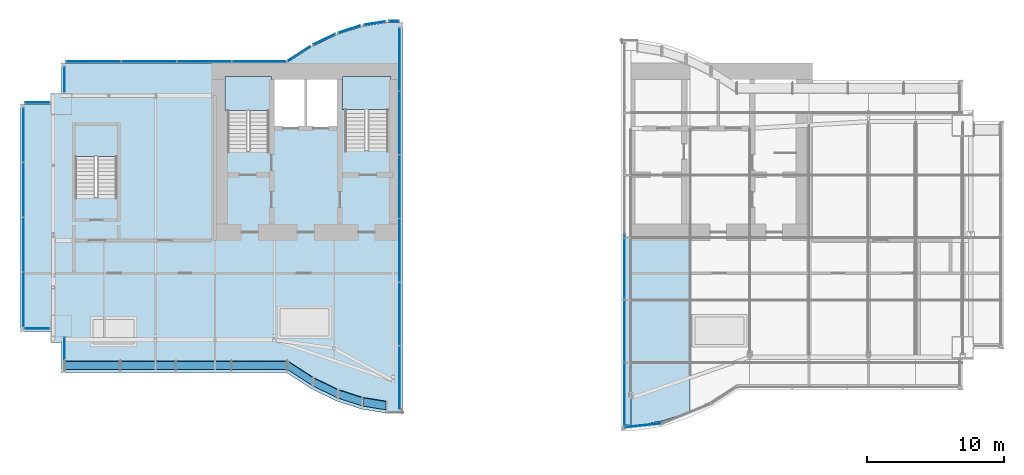
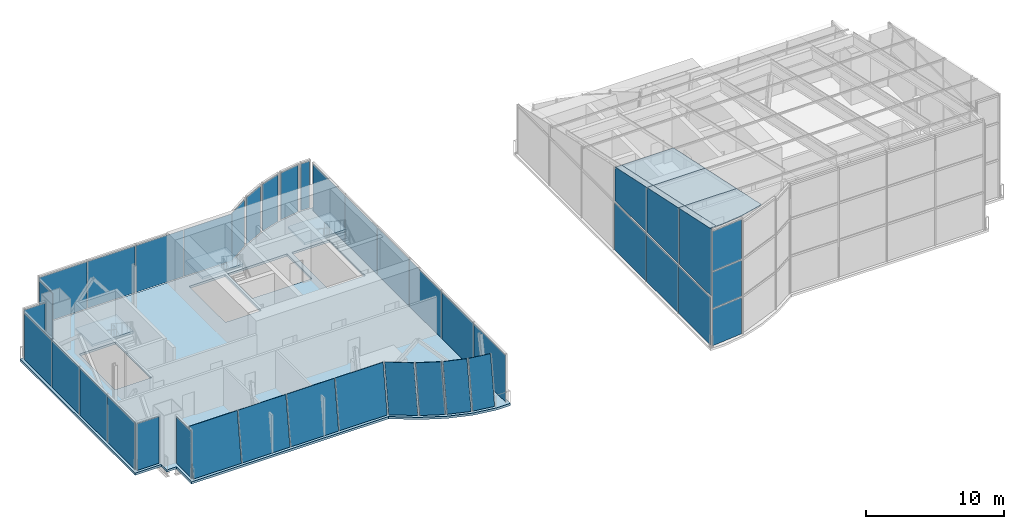
# One storey, part 10 of 17: 46 plates, 4 slabs, 25 elements without a shape of their own.
"""IFC4 building model written with IfcOpenShell, lengths in metres."""

from ifc_helpers import new_model, si_unit, direction, frame, origin, origin_2d, place, context, subcontext, project, spatial, polyline, rectangle, outline, extrude, material, layer, layer_set, type_object, element, aggregate, save


model = new_model("IFC4")

# Units and contexts
model_context = context("Model", 3, precision=1e-05, world=origin(), true_north=direction((0.0, 1.0)))
body_context = subcontext(model_context, "Body", "Model", "MODEL_VIEW")
ifc_project = project(units=[si_unit("LENGTHUNIT", "METRE"), si_unit("AREAUNIT", "SQUARE_METRE"), si_unit("VOLUMEUNIT", "CUBIC_METRE"), si_unit("PLANEANGLEUNIT", "RADIAN"), si_unit("MASSUNIT", "GRAM", prefix="KILO")], contexts=[model_context])

# Site, building, storey
site_placement = place(None, origin())
site = spatial("IfcSite", under=ifc_project, at=site_placement, CompositionType="ELEMENT")
building_placement = place(site_placement, origin())
building = spatial("IfcBuilding", under=site, at=building_placement, Name="Bicima Exchange Tower", CompositionType="ELEMENT")
storey_placement = place(building_placement, frame((0.0, 0.0, 356.89990234375)))
storey = spatial("IfcBuildingStorey", under=building, at=storey_placement, Name="L80", CompositionType="ELEMENT", Elevation=356.89990234375)

# Slab
ifc_material_1 = material(Name="Concrete C40/50", Category="concrete")
ifc_layer_1 = layer(ifc_material_1, 0.199951171875)
ifc_layer_set_1 = layer_set([ifc_layer_1], Name="Concrete C40/50")
slab_type_1 = type_object("IfcSlabType", Name="Composite floor slab 200", PredefinedType="FLOOR", material=ifc_layer_set_1)
slab_1_placement = place(storey_placement, frame((0.0, 0.0, -0.199951171875)))
element("IfcSlab", 1, at=slab_1_placement, inside=storey, type_object=slab_type_1, Name="Floor slab", PredefinedType="FLOOR", context=body_context, shape_type="SweptSolid", body=[
    extrude(outline(polyline([(-33.800048828125, -19.67919921875), (-36.0, -19.67919921875), (-36.0, -3.0), (-33.800048828125, -3.0), (-33.800048828125, -2.199951171875), (-33.0, -2.199951171875), (-33.0, 0.0), (-16.5, 0.0), (-14.666748046875, 1.185302734375), (-12.833251953125, 2.07421875), (-11.0, 2.666748046875), (-9.166748046875, 2.962890625), (-8.0, 2.962890625), (-8.0, -25.64208984375), (-9.166748046875, -25.64208984375), (-11.0, -25.345703125), (-12.833251953125, -24.753173828125), (-14.666748046875, -23.8642578125), (-16.5, -22.67919921875), (-33.0, -22.67919921875), (-33.0, -20.47900390625), (-33.800048828125, -20.47900390625), (-33.800048828125, -19.67919921875)]), holes=[polyline([(-28.925048828125, -4.625), (-31.97509765625, -4.625), (-31.97509765625, -9.824951171875), (-28.925048828125, -9.824951171875), (-28.925048828125, -4.625)]), polyline([(-17.800048828125, -1.199951171875), (-20.800048828125, -1.199951171875), (-20.800048828125, -6.449951171875), (-17.800048828125, -6.449951171875), (-17.800048828125, -1.199951171875)]), polyline([(-9.074951171875, -1.199951171875), (-12.22509765625, -1.199951171875), (-12.22509765625, -6.39990234375), (-9.074951171875, -6.39990234375), (-9.074951171875, -1.199951171875)]), polyline([(-12.60009765625, -1.199951171875), (-15.10009765625, -1.199951171875), (-17.60009765625, -1.199951171875), (-17.60009765625, -4.800048828125), (-15.10009765625, -4.800048828125), (-12.60009765625, -4.800048828125), (-12.60009765625, -1.199951171875)])]), origin(), (0.0, 0.0, 1.0), 0.199951171875),
])

# Curtain wall, plates
ifc_material_2 = material(Name="Anodised bronze aluminium", Category="aluminium")
curtain_wall_type = type_object("IfcCurtainWallType", Name="Crown glass wall", PredefinedType="NOTDEFINED", material=ifc_material_2)
curtain_wall_1_placement = place(storey_placement, origin())
curtain_wall_1 = element("IfcCurtainWall", 2, at=curtain_wall_1_placement, inside=storey, type_object=curtain_wall_type, Name="Crown glass wall L80 run 2", PredefinedType="NOTDEFINED")
ifc_material_3 = material(Name="Bronze tinted glass", Category="glass")
ifc_layer_2 = layer(ifc_material_3, 0.035888671875)
ifc_layer_set_2 = layer_set([ifc_layer_2], Name="Bronze tinted glass")
plate_type_1 = type_object("IfcPlateType", Name="Crown glass wall glass panel 36", PredefinedType="CURTAIN_PANEL", material=ifc_layer_set_2)
plate_1_placement = place(storey_placement, frame((-8.22998046875, -23.04931640625, 0.0), z_axis=(0.0, 0.0, 1.0), x_axis=(0.0, 1.0, 0.0)))
plate_1 = element("IfcPlate", 3, at=plate_1_placement, type_object=plate_type_1, Name="Crown glass wall panel 1.1", PredefinedType="CURTAIN_PANEL", context=body_context, shape_type="SweptSolid", body=[
    extrude(rectangle(XDim=4.60595703125, YDim=0.035888671875, at=origin_2d()), origin(), (0.0, 0.0, 1.0), 4.139892578125),
])
plate_2_placement = place(storey_placement, frame((-8.22998046875, -18.38330078125, 0.0), z_axis=(0.0, 0.0, 1.0), x_axis=(0.0, 1.0, 0.0)))
plate_2 = element("IfcPlate", 4, at=plate_2_placement, type_object=plate_type_1, Name="Crown glass wall panel 2.1", PredefinedType="CURTAIN_PANEL", context=body_context, shape_type="SweptSolid", body=[
    extrude(rectangle(XDim=4.605712890625, YDim=0.035888671875, at=origin_2d()), origin(), (0.0, 0.0, 1.0), 4.139892578125),
])
plate_3_placement = place(storey_placement, frame((-8.22998046875, -13.717529296875, 0.0), z_axis=(0.0, 0.0, 1.0), x_axis=(0.0, 1.0, 0.0)))
plate_3 = element("IfcPlate", 5, at=plate_3_placement, type_object=plate_type_1, Name="Crown glass wall panel 3.1", PredefinedType="CURTAIN_PANEL", context=body_context, shape_type="SweptSolid", body=[
    extrude(rectangle(XDim=4.60595703125, YDim=0.035888671875, at=origin_2d()), origin(), (0.0, 0.0, 1.0), 4.139892578125),
])
plate_4_placement = place(storey_placement, frame((-8.22998046875, -9.051513671875, 0.0), z_axis=(0.0, 0.0, 1.0), x_axis=(0.0, 1.0, 0.0)))
plate_4 = element("IfcPlate", 6, at=plate_4_placement, type_object=plate_type_1, Name="Crown glass wall panel 4.1", PredefinedType="CURTAIN_PANEL", context=body_context, shape_type="SweptSolid", body=[
    extrude(rectangle(XDim=4.60595703125, YDim=0.035888671875, at=origin_2d()), origin(), (0.0, 0.0, 1.0), 4.139892578125),
])
plate_5_placement = place(storey_placement, frame((-8.22998046875, -4.3857421875, 0.0), z_axis=(0.0, 0.0, 1.0), x_axis=(0.0, 1.0, 0.0)))
plate_5 = element("IfcPlate", 7, at=plate_5_placement, type_object=plate_type_1, Name="Crown glass wall panel 5.1", PredefinedType="CURTAIN_PANEL", context=body_context, shape_type="SweptSolid", body=[
    extrude(rectangle(XDim=4.605712890625, YDim=0.035888671875, at=origin_2d()), origin(), (0.0, 0.0, 1.0), 4.139892578125),
])
plate_6_placement = place(storey_placement, frame((-8.22998046875, 0.280029296875, 0.0), z_axis=(0.0, 0.0, 1.0), x_axis=(0.0, 1.0, 0.0)))
plate_6 = element("IfcPlate", 8, at=plate_6_placement, type_object=plate_type_1, Name="Crown glass wall panel 6.1", PredefinedType="CURTAIN_PANEL", context=body_context, shape_type="SweptSolid", body=[
    extrude(rectangle(XDim=4.605712890625, YDim=0.035888671875, at=origin_2d()), origin(), (0.0, 0.0, 1.0), 4.139892578125),
])
aggregate(curtain_wall_1, [plate_1, plate_2, plate_3, plate_4, plate_5, plate_6])

# Curtain wall, plate
curtain_wall_2_placement = place(storey_placement, origin())
curtain_wall_2 = element("IfcCurtainWall", 9, at=curtain_wall_2_placement, inside=storey, type_object=curtain_wall_type, Name="Crown glass wall L80 run 3", PredefinedType="NOTDEFINED")
plate_7_placement = place(storey_placement, frame((-8.64404296875, 3.052978515625, 0.0), z_axis=(0.0, 0.0, 1.0), x_axis=(-1.0, 0.0, 0.0)))
plate_7 = element("IfcPlate", 10, at=plate_7_placement, type_object=plate_type_1, Name="Crown glass wall panel 1.1", PredefinedType="CURTAIN_PANEL", context=body_context, shape_type="SweptSolid", body=[
    extrude(rectangle(XDim=0.708251953125, YDim=0.035888671875, at=origin_2d()), origin(), (0.0, 0.0, 1.0), 4.139892578125),
])
aggregate(curtain_wall_2, [plate_7])

curtain_wall_3_placement = place(storey_placement, origin())
curtain_wall_3 = element("IfcCurtainWall", 11, at=curtain_wall_3_placement, inside=storey, type_object=curtain_wall_type, Name="Crown glass wall L80 run 4", PredefinedType="NOTDEFINED")
plate_8_placement = place(storey_placement, frame((-10.0537109375, 2.910888671875, 0.0), z_axis=(0.0, 0.0, 1.0), x_axis=(-0.987189786347, -0.159550386184, 0.0)))
plate_8 = element("IfcPlate", 12, at=plate_8_placement, type_object=plate_type_1, Name="Crown glass wall panel 1.1", PredefinedType="CURTAIN_PANEL", context=body_context, shape_type="SweptSolid", body=[
    extrude(rectangle(XDim=1.611083984375, YDim=0.035888671875, at=origin_2d()), origin(), (0.0, 0.0, 1.0), 4.139892578125),
])
aggregate(curtain_wall_3, [plate_8])

curtain_wall_4_placement = place(storey_placement, origin())
curtain_wall_4 = element("IfcCurtainWall", 13, at=curtain_wall_4_placement, inside=storey, type_object=curtain_wall_type, Name="Crown glass wall L80 run 5", PredefinedType="NOTDEFINED")
plate_9_placement = place(storey_placement, frame((-11.90234375, 2.469482421875, 0.0), z_axis=(0.0, 0.0, 1.0), x_axis=(-0.951524642381, -0.307572519808, 0.0)))
plate_9 = element("IfcPlate", 14, at=plate_9_placement, type_object=plate_type_1, Name="Crown glass wall panel 1.1", PredefinedType="CURTAIN_PANEL", context=body_context, shape_type="SweptSolid", body=[
    extrude(rectangle(XDim=1.68310546875, YDim=0.035888671875, at=origin_2d()), origin(), (0.0, 0.0, 1.0), 4.139892578125),
])
aggregate(curtain_wall_4, [plate_9])

curtain_wall_5_placement = place(storey_placement, origin())
curtain_wall_5 = element("IfcCurtainWall", 15, at=curtain_wall_5_placement, inside=storey, type_object=curtain_wall_type, Name="Crown glass wall L80 run 6", PredefinedType="NOTDEFINED")
plate_10_placement = place(storey_placement, frame((-13.74951171875, 1.72998046875, 0.0), z_axis=(0.0, 0.0, 1.0), x_axis=(-0.899818346812, -0.436264762204, 0.0)))
plate_10 = element("IfcPlate", 16, at=plate_10_placement, type_object=plate_type_1, Name="Crown glass wall panel 1.1", PredefinedType="CURTAIN_PANEL", context=body_context, shape_type="SweptSolid", body=[
    extrude(rectangle(XDim=1.79736328125, YDim=0.035888671875, at=origin_2d()), origin(), (0.0, 0.0, 1.0), 4.139892578125),
])
aggregate(curtain_wall_5, [plate_10])

curtain_wall_6_placement = place(storey_placement, origin())
curtain_wall_6 = element("IfcCurtainWall", 17, at=curtain_wall_6_placement, inside=storey, type_object=curtain_wall_type, Name="Crown glass wall L80 run 7", PredefinedType="NOTDEFINED")
plate_11_placement = place(storey_placement, frame((-15.62890625, 0.67041015625, 0.0), z_axis=(0.0, 0.0, 1.0), x_axis=(-0.839790466384, -0.542910648791, 0.0)))
plate_11 = element("IfcPlate", 18, at=plate_11_placement, type_object=plate_type_1, Name="Crown glass wall panel 1.1", PredefinedType="CURTAIN_PANEL", context=body_context, shape_type="SweptSolid", body=[
    extrude(rectangle(XDim=2.02685546875, YDim=0.035888671875, at=origin_2d()), origin(), (0.0, 0.0, 1.0), 4.139892578125),
])
aggregate(curtain_wall_6, [plate_11])

# Curtain wall, plates
curtain_wall_7_placement = place(storey_placement, origin())
curtain_wall_7 = element("IfcCurtainWall", 19, at=curtain_wall_7_placement, inside=storey, type_object=curtain_wall_type, Name="Crown glass wall L80 run 8", PredefinedType="NOTDEFINED")
plate_12_placement = place(storey_placement, frame((-18.485595703125, 0.090087890625, 0.0), z_axis=(0.0, 0.0, 1.0), x_axis=(-1.0, 0.0, 0.0)))
plate_12 = element("IfcPlate", 20, at=plate_12_placement, type_object=plate_type_1, Name="Crown glass wall panel 1.1", PredefinedType="CURTAIN_PANEL", context=body_context, shape_type="SweptSolid", body=[
    extrude(rectangle(XDim=3.987060546875, YDim=0.035888671875, at=origin_2d()), origin(), (0.0, 0.0, 1.0), 4.139892578125),
])
plate_13_placement = place(storey_placement, frame((-22.53271484375, 0.090087890625, 0.0), z_axis=(0.0, 0.0, 1.0), x_axis=(-1.0, 0.0, 0.0)))
plate_13 = element("IfcPlate", 21, at=plate_13_placement, type_object=plate_type_1, Name="Crown glass wall panel 2.1", PredefinedType="CURTAIN_PANEL", context=body_context, shape_type="SweptSolid", body=[
    extrude(rectangle(XDim=3.987060546875, YDim=0.035888671875, at=origin_2d()), origin(), (0.0, 0.0, 1.0), 4.139892578125),
])
plate_14_placement = place(storey_placement, frame((-26.57958984375, 0.090087890625, 0.0), z_axis=(0.0, 0.0, 1.0), x_axis=(-1.0, 0.0, 0.0)))
plate_14 = element("IfcPlate", 22, at=plate_14_placement, type_object=plate_type_1, Name="Crown glass wall panel 3.1", PredefinedType="CURTAIN_PANEL", context=body_context, shape_type="SweptSolid", body=[
    extrude(rectangle(XDim=3.987060546875, YDim=0.035888671875, at=origin_2d()), origin(), (0.0, 0.0, 1.0), 4.139892578125),
])
plate_15_placement = place(storey_placement, frame((-30.62646484375, 0.090087890625, 0.0), z_axis=(0.0, 0.0, 1.0), x_axis=(-1.0, 0.0, 0.0)))
plate_15 = element("IfcPlate", 23, at=plate_15_placement, type_object=plate_type_1, Name="Crown glass wall panel 4.1", PredefinedType="CURTAIN_PANEL", context=body_context, shape_type="SweptSolid", body=[
    extrude(rectangle(XDim=3.987060546875, YDim=0.035888671875, at=origin_2d()), origin(), (0.0, 0.0, 1.0), 4.139892578125),
])
aggregate(curtain_wall_7, [plate_12, plate_13, plate_14, plate_15])

# Curtain wall, plate
curtain_wall_8_placement = place(storey_placement, origin())
curtain_wall_8 = element("IfcCurtainWall", 24, at=curtain_wall_8_placement, inside=storey, type_object=curtain_wall_type, Name="Crown glass wall L80 run 9", PredefinedType="NOTDEFINED")
plate_16_placement = place(storey_placement, frame((-32.77001953125, -1.215087890625, 0.0), z_axis=(0.0, 0.0, 1.0), x_axis=(0.0, -1.0, 0.0)))
plate_16 = element("IfcPlate", 25, at=plate_16_placement, type_object=plate_type_1, Name="Crown glass wall panel 1.1", PredefinedType="CURTAIN_PANEL", context=body_context, shape_type="SweptSolid", body=[
    extrude(rectangle(XDim=1.85009765625, YDim=0.035888671875, at=origin_2d()), origin(), (0.0, 0.0, 1.0), 4.139892578125),
])
aggregate(curtain_wall_8, [plate_16])

curtain_wall_9_placement = place(storey_placement, origin())
curtain_wall_9 = element("IfcCurtainWall", 26, at=curtain_wall_9_placement, inside=storey, type_object=curtain_wall_type, Name="Crown glass wall L80 run 10", PredefinedType="NOTDEFINED")
plate_17_placement = place(storey_placement, frame((-34.739990234375, -2.909912109375, 0.0), z_axis=(0.0, 0.0, 1.0), x_axis=(-1.0, 0.0, 0.0)))
plate_17 = element("IfcPlate", 27, at=plate_17_placement, type_object=plate_type_1, Name="Crown glass wall panel 1.1", PredefinedType="CURTAIN_PANEL", context=body_context, shape_type="SweptSolid", body=[
    extrude(rectangle(XDim=1.760009765625, YDim=0.035888671875, at=origin_2d()), origin(), (0.0, 0.0, 1.0), 4.139892578125),
])
aggregate(curtain_wall_9, [plate_17])

# Curtain wall, plates
curtain_wall_10_placement = place(storey_placement, origin())
curtain_wall_10 = element("IfcCurtainWall", 28, at=curtain_wall_10_placement, inside=storey, type_object=curtain_wall_type, Name="Crown glass wall L80 run 11", PredefinedType="NOTDEFINED")
plate_18_placement = place(storey_placement, frame((-35.77001953125, -5.2685546875, 0.0), z_axis=(0.0, 0.0, 1.0), x_axis=(0.0, -1.0, 0.0)))
plate_18 = element("IfcPlate", 29, at=plate_18_placement, type_object=plate_type_1, Name="Crown glass wall panel 1.1", PredefinedType="CURTAIN_PANEL", context=body_context, shape_type="SweptSolid", body=[
    extrude(rectangle(XDim=3.957275390625, YDim=0.035888671875, at=origin_2d()), origin(), (0.0, 0.0, 1.0), 4.139892578125),
])
plate_19_placement = place(storey_placement, frame((-35.77001953125, -9.285888671875, 0.0), z_axis=(0.0, 0.0, 1.0), x_axis=(0.0, -1.0, 0.0)))
plate_19 = element("IfcPlate", 30, at=plate_19_placement, type_object=plate_type_1, Name="Crown glass wall panel 2.1", PredefinedType="CURTAIN_PANEL", context=body_context, shape_type="SweptSolid", body=[
    extrude(rectangle(XDim=3.957275390625, YDim=0.035888671875, at=origin_2d()), origin(), (0.0, 0.0, 1.0), 4.139892578125),
])
plate_20_placement = place(storey_placement, frame((-35.77001953125, -13.30322265625, 0.0), z_axis=(0.0, 0.0, 1.0), x_axis=(0.0, -1.0, 0.0)))
plate_20 = element("IfcPlate", 31, at=plate_20_placement, type_object=plate_type_1, Name="Crown glass wall panel 3.1", PredefinedType="CURTAIN_PANEL", context=body_context, shape_type="SweptSolid", body=[
    extrude(rectangle(XDim=3.957275390625, YDim=0.035888671875, at=origin_2d()), origin(), (0.0, 0.0, 1.0), 4.139892578125),
])
plate_21_placement = place(storey_placement, frame((-35.77001953125, -17.320556640625, 0.0), z_axis=(0.0, 0.0, 1.0), x_axis=(0.0, -1.0, 0.0)))
plate_21 = element("IfcPlate", 32, at=plate_21_placement, type_object=plate_type_1, Name="Crown glass wall panel 4.1", PredefinedType="CURTAIN_PANEL", context=body_context, shape_type="SweptSolid", body=[
    extrude(rectangle(XDim=3.957275390625, YDim=0.035888671875, at=origin_2d()), origin(), (0.0, 0.0, 1.0), 4.139892578125),
])
aggregate(curtain_wall_10, [plate_18, plate_19, plate_20, plate_21])

# Curtain wall, plate
curtain_wall_11_placement = place(storey_placement, origin())
curtain_wall_11 = element("IfcCurtainWall", 33, at=curtain_wall_11_placement, inside=storey, type_object=curtain_wall_type, Name="Crown glass wall L80 run 12", PredefinedType="NOTDEFINED")
plate_22_placement = place(storey_placement, frame((-34.784912109375, -19.44921875, 0.0), z_axis=(0.0, 0.0, 1.0), x_axis=(1.0, 0.0, 0.0)))
plate_22 = element("IfcPlate", 34, at=plate_22_placement, type_object=plate_type_1, Name="Crown glass wall panel 1.1", PredefinedType="CURTAIN_PANEL", context=body_context, shape_type="SweptSolid", body=[
    extrude(rectangle(XDim=1.85009765625, YDim=0.035888671875, at=origin_2d()), origin(), (0.0, 0.0, 1.0), 4.139892578125),
])
aggregate(curtain_wall_11, [plate_22])

curtain_wall_12_placement = place(storey_placement, origin())
curtain_wall_12 = element("IfcCurtainWall", 35, at=curtain_wall_12_placement, inside=storey, type_object=curtain_wall_type, Name="Crown glass wall L80 run 13", PredefinedType="NOTDEFINED")
plate_23_placement = place(storey_placement, frame((-32.77001953125, -21.199951171875, 0.0), z_axis=(0.0, 0.0, 1.0), x_axis=(0.0, -1.0, 0.0)))
plate_23 = element("IfcPlate", 36, at=plate_23_placement, type_object=plate_type_1, Name="Crown glass wall panel 1.1", PredefinedType="CURTAIN_PANEL", context=body_context, shape_type="SweptSolid", body=[
    extrude(rectangle(XDim=2.1982421875, YDim=0.035888671875, at=origin_2d()), origin(), (0.0, 0.0, 1.0), 4.139892578125),
])
aggregate(curtain_wall_12, [plate_23])

# Curtain wall, plates
curtain_wall_13_placement = place(storey_placement, origin())
curtain_wall_13 = element("IfcCurtainWall", 37, at=curtain_wall_13_placement, inside=storey, type_object=curtain_wall_type, Name="Crown tilted glass L80 14.1", PredefinedType="NOTDEFINED")
plate_24_placement = place(storey_placement, frame((-32.7099609375, -22.44921875, 0.0), z_axis=(0.0, -0.990262998319, 0.139209174124), x_axis=(1.0, 0.0, 0.0)))
plate_24 = element("IfcPlate", 38, at=plate_24_placement, type_object=plate_type_1, Name="Crown tilted glass panel 1", PredefinedType="CURTAIN_PANEL", context=body_context, shape_type="SweptSolid", body=[
    extrude(outline(polyline([(0.0, 0.0), (4.009521484375, 0.0), (4.009521484375, 4.342330103643402), (0.0, 4.342330103643402), (0.0, 0.0)])), origin(), (0.0, 0.0, -1.0), 0.035888671875),
])
plate_25_placement = place(storey_placement, frame((-28.640380859375, -22.44921875, 0.0), z_axis=(0.0, -0.990262998319, 0.139209174124), x_axis=(1.0, 0.0, 0.0)))
plate_25 = element("IfcPlate", 39, at=plate_25_placement, type_object=plate_type_1, Name="Crown tilted glass panel 2", PredefinedType="CURTAIN_PANEL", context=body_context, shape_type="SweptSolid", body=[
    extrude(outline(polyline([(0.0, 0.0), (4.00927734375, 0.0), (4.00927734375, 4.342330103643403), (0.0, 4.342330103643403), (0.0, 0.0)])), origin(), (0.0, 0.0, -1.0), 0.035888671875),
])
plate_26_placement = place(storey_placement, frame((-24.571044921875, -22.44921875, 0.0), z_axis=(0.0, -0.990262998319, 0.139209174124), x_axis=(1.0, 0.0, 0.0)))
plate_26 = element("IfcPlate", 40, at=plate_26_placement, type_object=plate_type_1, Name="Crown tilted glass panel 3", PredefinedType="CURTAIN_PANEL", context=body_context, shape_type="SweptSolid", body=[
    extrude(outline(polyline([(0.0, 0.0), (4.009521484375, 0.0), (4.009521484375, 4.342330103643402), (0.0, 4.342330103643402), (0.0, 0.0)])), origin(), (0.0, 0.0, -1.0), 0.035888671875),
])
plate_27_placement = place(storey_placement, frame((-20.501708984375, -22.44921875, 0.0), z_axis=(0.0, -0.990262998319, 0.139209174124), x_axis=(1.0, 0.0, 0.0)))
plate_27 = element("IfcPlate", 41, at=plate_27_placement, type_object=plate_type_1, Name="Crown tilted glass panel 4", PredefinedType="CURTAIN_PANEL", context=body_context, shape_type="SweptSolid", body=[
    extrude(outline(polyline([(0.0, 0.0), (4.009521484375, 0.0), (4.009521484375, 4.342330103643402), (0.0, 4.342330103643402), (0.0, 0.0)])), origin(), (0.0, 0.0, -1.0), 0.035888671875),
])
aggregate(curtain_wall_13, [plate_24, plate_25, plate_26, plate_27])

# Curtain wall, plate
curtain_wall_14_placement = place(storey_placement, origin())
curtain_wall_14 = element("IfcCurtainWall", 42, at=curtain_wall_14_placement, inside=storey, type_object=curtain_wall_type, Name="Crown tilted glass L80 15.1", PredefinedType="NOTDEFINED")
plate_28_placement = place(storey_placement, frame((-16.381591796875, -22.481689453125, 0.0), z_axis=(-0.539204779654, -0.833977695307, 0.117215226522), x_axis=(0.839766957866, -0.542947010716, 5.63754e-06)))
plate_28 = element("IfcPlate", 43, at=plate_28_placement, type_object=plate_type_1, Name="Crown tilted glass panel 1", PredefinedType="CURTAIN_PANEL", context=body_context, shape_type="SweptSolid", body=[
    extrude(outline(polyline([(0.0, 0.0), (2.1166979491355855, 0.0), (1.7886475200509826, 4.3298866650323315), (-0.32818298450714084, 4.329910697384378), (0.0, 0.0)])), origin(), (0.0, 0.0, -1.0), 0.035888671875),
])
aggregate(curtain_wall_14, [plate_28])

curtain_wall_15_placement = place(storey_placement, origin())
curtain_wall_15 = element("IfcCurtainWall", 44, at=curtain_wall_15_placement, inside=storey, type_object=curtain_wall_type, Name="Crown tilted glass L80 16.1", PredefinedType="NOTDEFINED")
plate_29_placement = place(storey_placement, frame((-14.499755859375, -23.689697265625, 0.0), z_axis=(-0.432815011374, -0.892705020495, 0.125494670456), x_axis=(0.899818722999, -0.436263986298, 0.0)))
plate_29 = element("IfcPlate", 45, at=plate_29_placement, type_object=plate_type_1, Name="Crown tilted glass panel 1", PredefinedType="CURTAIN_PANEL", context=body_context, shape_type="SweptSolid", body=[
    extrude(outline(polyline([(0.0, 0.0), (1.8875872269742502, 0.0), (1.623869055569494, 4.334314646524714), (-0.2637181714047563, 4.334314646524714), (0.0, 0.0)])), origin(), (0.0, 0.0, -1.0), 0.035888671875),
])
aggregate(curtain_wall_15, [plate_29])

curtain_wall_16_placement = place(storey_placement, origin())
curtain_wall_16 = element("IfcCurtainWall", 46, at=curtain_wall_16_placement, inside=storey, type_object=curtain_wall_type, Name="Crown tilted glass L80 17.1", PredefinedType="NOTDEFINED")
plate_30_placement = place(storey_placement, frame((-12.690185546875, -24.5576171875, 0.0), z_axis=(-0.304908856008, -0.943115575208, 0.132527737957), x_axis=(0.951508549588, -0.307622300981, 0.0)))
plate_30 = element("IfcPlate", 47, at=plate_30_placement, type_object=plate_type_1, Name="Crown tilted glass panel 1", PredefinedType="CURTAIN_PANEL", context=body_context, shape_type="SweptSolid", body=[
    extrude(outline(polyline([(0.0, 0.0), (1.772986400889888, 0.0), (1.5871062263468465, 4.33831582381035), (-0.18588017454304137, 4.33831582381035), (0.0, 0.0)])), origin(), (0.0, 0.0, -1.0), 0.035888671875),
])
aggregate(curtain_wall_16, [plate_30])

curtain_wall_17_placement = place(storey_placement, origin())
curtain_wall_17 = element("IfcCurtainWall", 48, at=curtain_wall_17_placement, inside=storey, type_object=curtain_wall_type, Name="Crown tilted glass L80 18.1", PredefinedType="NOTDEFINED")
plate_31_placement = place(storey_placement, frame((-10.88671875, -25.131103515625, 0.0), z_axis=(-0.158018725341, -0.977825274758, 0.137432945419), x_axis=(0.987192460571, -0.159533838728, -9.643993e-06)))
plate_31 = element("IfcPlate", 49, at=plate_31_placement, type_object=plate_type_1, Name="Crown tilted glass panel 1", PredefinedType="CURTAIN_PANEL", context=body_context, shape_type="SweptSolid", body=[
    extrude(outline(polyline([(0.0, 0.0), (1.7010037530446902, 0.0), (1.6045253242496664, 4.341258184851177), (-0.09643948010392796, 4.341225061988965), (0.0, 0.0)])), origin(), (0.0, 0.0, -1.0), 0.035888671875),
])
aggregate(curtain_wall_17, [plate_31])

# Curtain wall, plates
curtain_wall_18_placement = place(storey_placement, origin())
curtain_wall_18 = element("IfcCurtainWall", 50, at=curtain_wall_18_placement, inside=storey, type_object=curtain_wall_type, Name="Crown glass wall L80 run 8", PredefinedType="NOTDEFINED")
plate_32_placement = place(storey_placement, frame((8.22998046875, -14.892333984375, 0.0), z_axis=(0.0, 0.0, 1.0), x_axis=(0.0, -1.0, 0.0)))
plate_32 = element("IfcPlate", 51, at=plate_32_placement, type_object=plate_type_1, Name="Crown glass wall panel 4.1", PredefinedType="CURTAIN_PANEL", context=body_context, shape_type="SweptSolid", body=[
    extrude(rectangle(XDim=4.60595703125, YDim=0.035888671875, at=origin_2d()), origin(), (0.0, 0.0, 1.0), 4.20947265625),
])
plate_33_placement = place(storey_placement, frame((8.22998046875, -19.55810546875, 0.0), z_axis=(0.0, 0.0, 1.0), x_axis=(0.0, -1.0, 0.0)))
plate_33 = element("IfcPlate", 52, at=plate_33_placement, type_object=plate_type_1, Name="Crown glass wall panel 5.1", PredefinedType="CURTAIN_PANEL", context=body_context, shape_type="SweptSolid", body=[
    extrude(rectangle(XDim=4.60595703125, YDim=0.035888671875, at=origin_2d()), origin(), (0.0, 0.0, 1.0), 4.20947265625),
])
plate_34_placement = place(storey_placement, frame((8.22998046875, -24.22412109375, 0.0), z_axis=(0.0, 0.0, 1.0), x_axis=(0.0, -1.0, 0.0)))
plate_34 = element("IfcPlate", 53, at=plate_34_placement, type_object=plate_type_1, Name="Crown glass wall panel 6.1", PredefinedType="CURTAIN_PANEL", context=body_context, shape_type="SweptSolid", body=[
    extrude(rectangle(XDim=4.605712890625, YDim=0.035888671875, at=origin_2d()), origin(), (0.0, 0.0, 1.0), 4.20947265625),
])
aggregate(curtain_wall_18, [plate_32, plate_33, plate_34])

curtain_wall_19_placement = place(storey_placement, origin())
curtain_wall_19 = element("IfcCurtainWall", 54, at=curtain_wall_19_placement, inside=storey, type_object=curtain_wall_type, Name="Crown glass wall L80 run 9", PredefinedType="NOTDEFINED")
plate_35_placement = place(storey_placement, frame((9.587890625, -26.53173828125, 0.0), z_axis=(0.0, 0.0, 1.0), x_axis=(0.994326439433, 0.106371668434, 0.0)))
plate_35 = element("IfcPlate", 55, at=plate_35_placement, type_object=plate_type_1, Name="Crown glass wall panel 1.1", PredefinedType="CURTAIN_PANEL", context=body_context, shape_type="SweptSolid", body=[
    extrude(rectangle(XDim=2.611572265625, YDim=0.035888671875, at=origin_2d()), origin(), (0.0, 0.0, 1.0), 3.219970703125),
])
plate_36_placement = place(storey_placement, frame((9.587890625, -26.53173828125, 3.30029296875), z_axis=(0.0, 0.0, 1.0), x_axis=(0.994326439433, 0.106371668434, 0.0)))
plate_36 = element("IfcPlate", 56, at=plate_36_placement, type_object=plate_type_1, Name="Crown glass wall panel 1.2", PredefinedType="CURTAIN_PANEL", context=body_context, shape_type="SweptSolid", body=[
    extrude(rectangle(XDim=2.611572265625, YDim=0.035888671875, at=origin_2d()), origin(), (0.0, 0.0, 1.0), 3.219970703125),
])
plate_37_placement = place(storey_placement, frame((9.587890625, -26.53173828125, 6.60009765625), z_axis=(0.0, 0.0, 1.0), x_axis=(0.994326439433, 0.106371668434, 0.0)))
plate_37 = element("IfcPlate", 57, at=plate_37_placement, type_object=plate_type_1, Name="Crown glass wall panel 1.3", PredefinedType="CURTAIN_PANEL", context=body_context, shape_type="SweptSolid", body=[
    extrude(rectangle(XDim=2.611572265625, YDim=0.035888671875, at=origin_2d()), origin(), (0.0, 0.0, 1.0), 3.5302734375),
])
aggregate(curtain_wall_19, [plate_35, plate_36, plate_37])

curtain_wall_20_placement = place(storey_placement, origin())
curtain_wall_20 = element("IfcCurtainWall", 58, at=curtain_wall_20_placement, inside=storey, type_object=curtain_wall_type, Name="Gable glazing east 8", PredefinedType="NOTDEFINED")
plate_38_placement = place(storey_placement, frame((8.22998046875, -12.634521484375, 4.36962890625), z_axis=(-1.0, 0.0, 0.0), x_axis=(0.0, -1.0, 0.0)))
plate_38 = element("IfcPlate", 59, at=plate_38_placement, type_object=plate_type_1, Name="Gable glazing panel 4", PredefinedType="CURTAIN_PANEL", context=body_context, shape_type="SweptSolid", body=[
    extrude(outline(polyline([(0.0, 0.0), (4.620849609375, 0.0), (4.620849609375, 3.979736328125), (0.0, 2.99755859375), (0.0, 0.0)])), origin(), (0.0, 0.0, -1.0), 0.035888671875),
])
plate_39_placement = place(storey_placement, frame((8.22998046875, -17.315185546875, 4.36962890625), z_axis=(-1.0, 0.0, 0.0), x_axis=(0.0, -1.0, 0.0)))
plate_39 = element("IfcPlate", 60, at=plate_39_placement, type_object=plate_type_1, Name="Gable glazing panel 5", PredefinedType="CURTAIN_PANEL", context=body_context, shape_type="SweptSolid", body=[
    extrude(outline(polyline([(0.0, 0.0), (4.62109375, 0.0), (4.62109375, 4.974609375), (0.0, 3.992431640625), (0.0, 0.0)])), origin(), (0.0, 0.0, -1.0), 0.035888671875),
])
plate_40_placement = place(storey_placement, frame((8.22998046875, -21.99609375, 4.36962890625), z_axis=(-1.0, 0.0, 0.0), x_axis=(0.0, -1.0, 0.0)))
plate_40 = element("IfcPlate", 61, at=plate_40_placement, type_object=plate_type_1, Name="Gable glazing panel 6", PredefinedType="CURTAIN_PANEL", context=body_context, shape_type="SweptSolid", body=[
    extrude(outline(polyline([(0.0, 0.0), (4.620849609375, 0.0), (4.620849609375, 5.9697265625), (0.0, 4.987548828125), (0.0, 0.0)])), origin(), (0.0, 0.0, -1.0), 0.035888671875),
])
aggregate(curtain_wall_20, [plate_38, plate_39, plate_40])

curtain_wall_21_placement = place(storey_placement, origin())
curtain_wall_21 = element("IfcCurtainWall", 62, at=curtain_wall_21_placement, inside=storey, type_object=curtain_wall_type, Name="Roof glazing east", PredefinedType="NOTDEFINED")
ifc_material_4 = material(Name="Bronze tinted safety glass, interlayer bonded", Category="glass")
ifc_layer_3 = layer(ifc_material_4, 0.0439453125)
ifc_layer_set_3 = layer_set([ifc_layer_3], Name="Bronze tinted safety glass, interlayer bonded")
plate_type_2 = type_object("IfcPlateType", Name="Glass roof panel 44", PredefinedType="CURTAIN_PANEL", material=ifc_layer_set_3)
plate_41_placement = place(storey_placement, frame((8.14990234375, -21.94140625, 9.390380859375), z_axis=(0.0, 0.207905612443, 0.978148892712), x_axis=(1.0, 0.0, 0.0)))
plate_41 = element("IfcPlate", 63, at=plate_41_placement, type_object=plate_type_2, Name="Glass roof panel east 1.1", PredefinedType="CURTAIN_PANEL", context=body_context, shape_type="SweptSolid", body=[
    extrude(outline(polyline([(0.0, 0.0), (0.550048828125, 0.0), (0.550048828125, -4.673657801163284), (0.0, -4.673657801163284), (0.0, 0.0)])), origin(), (0.0, 0.0, -1.0), 0.0439453125),
])
plate_42_placement = place(storey_placement, frame((8.14990234375, -17.3701171875, 8.418701171875), z_axis=(0.0, 0.207916236148, 0.978146634583), x_axis=(1.0, 0.0, 0.0)))
plate_42 = element("IfcPlate", 64, at=plate_42_placement, type_object=plate_type_2, Name="Glass roof panel east 1.2", PredefinedType="CURTAIN_PANEL", context=body_context, shape_type="SweptSolid", body=[
    extrude(outline(polyline([(0.0, 0.0), (0.550048828125, 0.0), (0.550048828125, -4.673418995556918), (0.0, -4.673418995556918), (0.0, 0.0)])), origin(), (0.0, 0.0, -1.0), 0.0439453125),
])
plate_43_placement = place(storey_placement, frame((8.14990234375, -12.798583984375, 7.447021484375), z_axis=(0.0, 0.207905612443, 0.978148892712), x_axis=(1.0, 0.0, 0.0)))
plate_43 = element("IfcPlate", 65, at=plate_43_placement, type_object=plate_type_2, Name="Glass roof panel east 1.3", PredefinedType="CURTAIN_PANEL", context=body_context, shape_type="SweptSolid", body=[
    extrude(outline(polyline([(0.0, 0.0), (0.550048828125, 0.0), (0.550048828125, -4.673657801163284), (0.0, -4.673657801163284), (0.0, 0.0)])), origin(), (0.0, 0.0, -1.0), 0.0439453125),
])

# Curtain wall, plate
curtain_wall_22_placement = place(storey_placement, origin())
curtain_wall_22 = element("IfcCurtainWall", 66, at=curtain_wall_22_placement, inside=storey, type_object=curtain_wall_type, Name="Roof edge glazing east 2.1", PredefinedType="NOTDEFINED")
plate_44_placement = place(storey_placement, frame((8.699951171875, -26.512939453125, 10.362060546875), z_axis=(4.26841e-06, 0.207894099894, 0.978151339625), x_axis=(5e-11, 0.978151339634, -0.207894099896)))
plate_44 = element("IfcPlate", 67, at=plate_44_placement, type_object=plate_type_2, Name="Glass roof panel east 2.1", PredefinedType="CURTAIN_PANEL", context=body_context, shape_type="SweptSolid", body=[
    extrude(outline(polyline([(0.0, 0.0), (4.673657800839572, 8.470329472543003e-22), (4.673657801058112, -4.350097656210372), (1.0333235729711283, -4.350097656253921), (0.8980535906405588, -4.0771484377124505), (0.2990327882864901, -2.26489257847644), (2.284993459332052e-11, -0.45483398437085665), (0.0, 0.0)])), origin(), (0.0, 0.0, -1.0), 0.0439453125),
])
aggregate(curtain_wall_22, [plate_44])

# Plate
plate_45_placement = place(storey_placement, frame((8.699951171875, -21.94140625, 9.390380859375), z_axis=(0.0, 0.207916236148, 0.978146634583), x_axis=(0.0, 0.978146634583, -0.207916236148)))
plate_45 = element("IfcPlate", 68, at=plate_45_placement, type_object=plate_type_2, Name="Glass roof panel east 2.2", PredefinedType="CURTAIN_PANEL", context=body_context, shape_type="SweptSolid", body=[
    extrude(outline(polyline([(0.0, 0.0), (4.673418995556918, 0.0), (4.673418995556918, -4.35009765625), (0.0, -4.35009765625), (0.0, 0.0)])), origin(), (0.0, 0.0, -1.0), 0.0439453125),
])

plate_46_placement = place(storey_placement, frame((8.699951171875, -17.3701171875, 8.418701171875), z_axis=(0.0, 0.207905612443, 0.978148892712), x_axis=(0.0, 0.978148892712, -0.207905612443)))
plate_46 = element("IfcPlate", 69, at=plate_46_placement, type_object=plate_type_2, Name="Glass roof panel east 2.3", PredefinedType="CURTAIN_PANEL", context=body_context, shape_type="SweptSolid", body=[
    extrude(outline(polyline([(0.0, 0.0), (4.673657801163284, 0.0), (4.673657801163284, -4.350097656250001), (0.0, -4.350097656250001), (0.0, 0.0)])), origin(), (0.0, 0.0, -1.0), 0.0439453125),
])

aggregate(curtain_wall_21, [plate_41, plate_42, plate_43, plate_45, plate_46])

# Stair, slab
ifc_material_5 = material(Name="Concrete C50/60", Category="concrete")
stair_type_1 = type_object("IfcStairType", Name="Exit stair", PredefinedType="HALF_TURN_STAIR", material=ifc_material_5)
stair_1_placement = place(storey_placement, origin())
stair_1 = element("IfcStair", 70, at=stair_1_placement, inside=storey, type_object=stair_type_1, Name="L80 West exit stair", PredefinedType="HALF_TURN_STAIR")
ifc_layer_4 = layer(ifc_material_5, 0.199951171875)
ifc_layer_set_4 = layer_set([ifc_layer_4], Name="Concrete C50/60")
slab_type_2 = type_object("IfcSlabType", Name="Stair landing slab", PredefinedType="LANDING", material=ifc_layer_set_4)
slab_2_placement = place(storey_placement, frame((0.0, 0.0, 2.050048828125)))
slab_2 = element("IfcSlab", 71, at=slab_2_placement, type_object=slab_type_2, Name="ST-W landing 1", PredefinedType="LANDING", context=body_context, shape_type="SweptSolid", body=[
    extrude(outline(polyline([(-17.60009765625, -3.469970703125), (-17.60009765625, -1.0), (-21.0, -1.0), (-21.0, -3.469970703125), (-17.60009765625, -3.469970703125)])), origin(), (0.0, 0.0, 1.0), 0.199951171875),
])
aggregate(stair_1, [slab_2])

stair_type_2 = type_object("IfcStairType", Name="Exit stair 1500", PredefinedType="HALF_TURN_STAIR", material=ifc_material_5)
stair_2_placement = place(storey_placement, origin())
stair_2 = element("IfcStair", 72, at=stair_2_placement, inside=storey, type_object=stair_type_2, Name="L80 Crown exit stair", PredefinedType="HALF_TURN_STAIR")
slab_3_placement = place(storey_placement, frame((0.0, 0.0, 2.050048828125)))
slab_3 = element("IfcSlab", 73, at=slab_3_placement, type_object=slab_type_2, Name="ST-CR landing 1", PredefinedType="LANDING", context=body_context, shape_type="SweptSolid", body=[
    extrude(outline(polyline([(-8.875, -3.419921875), (-8.875, -1.0), (-12.425048828125, -1.0), (-12.425048828125, -3.419921875), (-8.875, -3.419921875)])), origin(), (0.0, 0.0, 1.0), 0.199951171875),
])
aggregate(stair_2, [slab_3])

stair_3_placement = place(storey_placement, origin())
stair_3 = element("IfcStair", 74, at=stair_3_placement, inside=storey, type_object=stair_type_1, Name="L80 West end exit stair", PredefinedType="HALF_TURN_STAIR")
slab_4_placement = place(storey_placement, frame((0.0, 0.0, 2.050048828125)))
slab_4 = element("IfcSlab", 75, at=slab_4_placement, type_object=slab_type_2, Name="ST-WW landing 1", PredefinedType="LANDING", context=body_context, shape_type="SweptSolid", body=[
    extrude(outline(polyline([(-28.72509765625, -6.844970703125), (-28.72509765625, -4.425048828125), (-32.175048828125, -4.425048828125), (-32.175048828125, -6.844970703125), (-28.72509765625, -6.844970703125)])), origin(), (0.0, 0.0, 1.0), 0.199951171875),
])
aggregate(stair_3, [slab_4])

save(model, "model.ifc")
